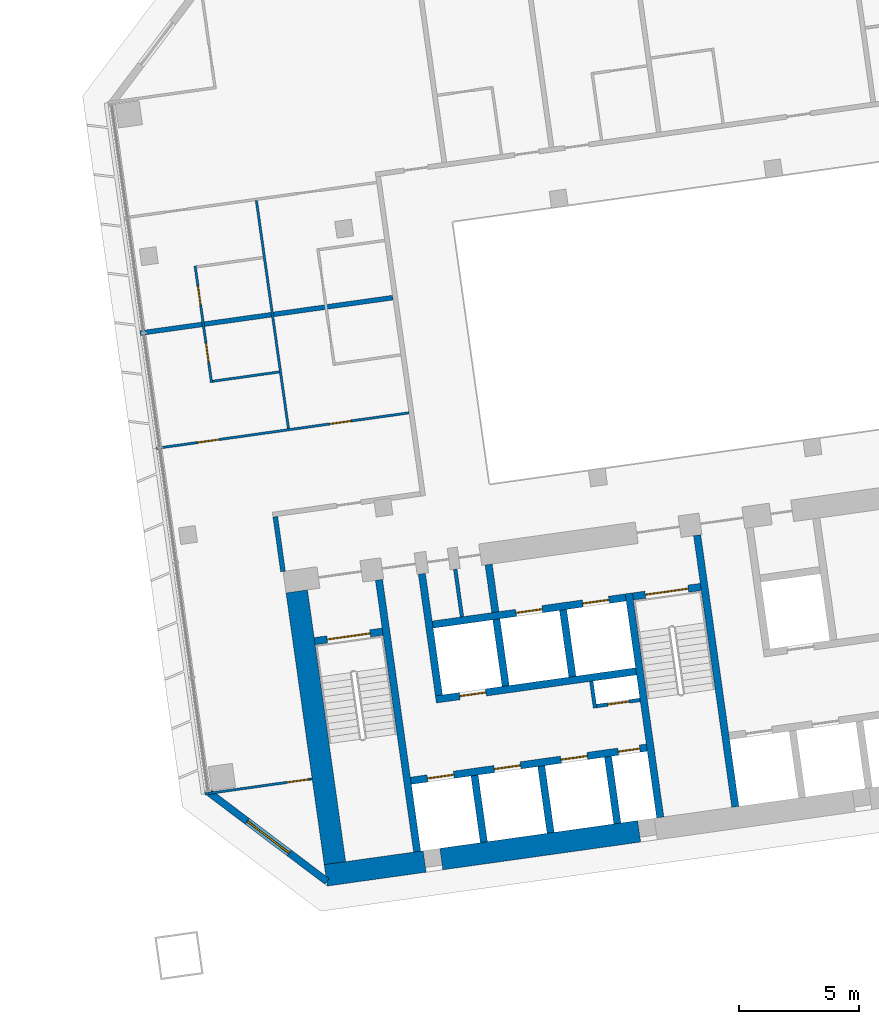
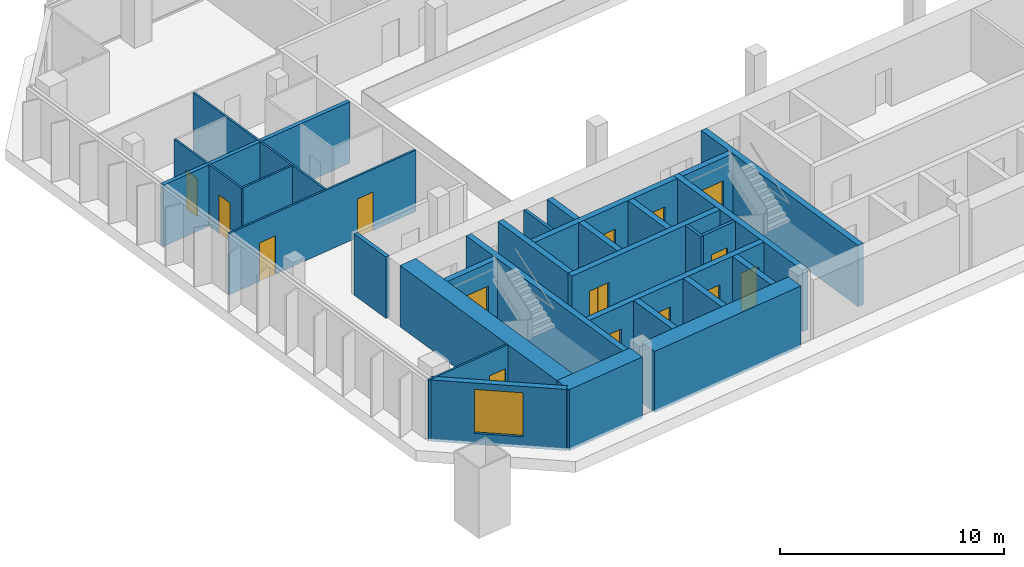
# One storey, part 18 of 25: 29 walls, 15 doors, 1 window, 16 openings.
"""IFC4 building model written with IfcOpenShell, lengths in metres."""

from ifc_helpers import new_model, si_unit, direction, frame, frame_2d, origin, place, context, subcontext, project, spatial, rectangle, extrude, material, layer, layer_set, type_object, element, fill, save


model = new_model("IFC4")

# Units and contexts
model_context = context("Model", 3, precision=1e-05, world=origin(), true_north=direction((0.0, 1.0)))
body_context = subcontext(model_context, "Body", "Model", "MODEL_VIEW")
ifc_project = project(units=[si_unit("LENGTHUNIT", "METRE"), si_unit("AREAUNIT", "SQUARE_METRE"), si_unit("VOLUMEUNIT", "CUBIC_METRE"), si_unit("PLANEANGLEUNIT", "RADIAN"), si_unit("MASSUNIT", "GRAM", prefix="KILO")], contexts=[model_context])

# Site, building, storey
site_placement = place(None, origin())
site = spatial("IfcSite", under=ifc_project, at=site_placement, CompositionType="ELEMENT")
building_placement = place(site_placement, origin())
building = spatial("IfcBuilding", under=site, at=building_placement, Name="Mirante Cascada Hotel Towers", CompositionType="ELEMENT")
storey_placement = place(building_placement, frame((0.0, 0.0, 73.7)))
storey = spatial("IfcBuildingStorey", under=building, at=storey_placement, Name="L15", CompositionType="ELEMENT", Elevation=73.7)

# Walls
ifc_material_1 = material(Name="Fire-rated plasterboard on metal studs")
ifc_layer_1 = layer(ifc_material_1, 0.2)
ifc_layer_set_1 = layer_set([ifc_layer_1], Name="Compartment wall 200 EI 120")
wall_type_1 = type_object("IfcWallType", Name="Compartment wall 200 EI 120", PredefinedType="PARTITIONING", material=ifc_layer_set_1)
wall_1_placement = place(storey_placement, frame((39.8242, 4.2615, 0.0), z_axis=(0.0, 0.0, 1.0), x_axis=(-0.9902686, -0.1391691, 0.0)))
element("IfcWall", 1, at=wall_1_placement, inside=storey, type_object=wall_type_1, Name="Wall 2-L15-11", PredefinedType="PARTITIONING", context=body_context, shape_type="SweptSolid", body=[
    extrude(rectangle(XDim=10.6001, YDim=0.2, at=frame_2d((5.3, 0.0))), origin(), (0.0, 0.0, 1.0), 3.35),
])
wall_2_placement = place(storey_placement, frame((35.2634, -7.1173, 0.0), z_axis=(0.0, 0.0, 1.0), x_axis=(-0.1391749, 0.9902678, 0.0)))
element("IfcWall", 2, at=wall_2_placement, inside=storey, type_object=wall_type_1, Name="Wall 2-L15-30", PredefinedType="PARTITIONING", context=body_context, shape_type="SweptSolid", body=[
    extrude(rectangle(XDim=2.3, YDim=0.2, at=frame_2d((1.15, 0.0))), origin(), (0.0, 0.0, 1.0), 3.35),
])
ifc_material_2 = material(Name="Masonry block", Category="masonry")
ifc_layer_2 = layer(ifc_material_2, 0.15)
ifc_layer_set_2 = layer_set([ifc_layer_2], Name="Core room partition 150 block EI 30")
wall_type_2 = type_object("IfcWallType", Name="Core room partition 150 block EI 30", PredefinedType="PARTITIONING", material=ifc_layer_set_2)
wall_3_placement = place(storey_placement, frame((48.2295, -12.793, 0.0), z_axis=(0.0, 0.0, 1.0), x_axis=(-0.1391935, 0.9902652, 0.0)))
element("IfcWall", 3, at=wall_3_placement, inside=storey, type_object=wall_type_2, Name="Core wall partition T2 L15 2", PredefinedType="PARTITIONING", context=body_context, shape_type="SweptSolid", body=[
    extrude(rectangle(XDim=1.1251, YDim=0.15, at=frame_2d((0.5626, 0.0))), origin(), (0.0, 0.0, 1.0), 3.35),
])

# Wall, opening, door
wall_4_placement = place(storey_placement, frame((48.2933, -12.7083, 0.0), z_axis=(0.0, 0.0, 1.0), x_axis=(0.990268, 0.1391734, 0.0)))
wall_4 = element("IfcWall", 4, at=wall_4_placement, inside=storey, type_object=wall_type_2, Name="Core wall partition T2 L15 3", PredefinedType="PARTITIONING", context=body_context, shape_type="SweptSolid", body=[
    extrude(rectangle(XDim=1.8251, YDim=0.15, at=frame_2d((0.9126, 0.0))), origin(), (0.0, 0.0, 1.0), 3.35),
])
opening_1_placement = place(wall_4_placement, frame((0.4625, 0.0, 0.0)))
opening_1 = element("IfcOpeningElement", 5, at=opening_1_placement, cuts=wall_4, Name="Opening D2-15-C23", PredefinedType="OPENING", context=body_context, shape_type="SweptSolid", body=[
    extrude(rectangle(XDim=0.9, YDim=2.1, at=frame_2d((0.45, 1.05))), frame((0.0, 0.075, 0.0), z_axis=(0.0, -1.0, 0.0), x_axis=(1.0, 0.0, 0.0)), (0.0, 0.0, 1.0), 0.15),
])
ifc_material_3 = material(Name="Hollow metal fire door leaf")
door_type_1 = type_object("IfcDoorType", Name="Fire door 900x2100 FD60", OperationType="NOTDEFINED", PredefinedType="DOOR", material=ifc_material_3)
door_1_placement = place(opening_1_placement, frame((0.9, 0.0, 0.0), z_axis=(0.0, 0.0, 1.0), x_axis=(-1.0, 0.0, 0.0)))
door_1 = element("IfcDoor", 6, at=door_1_placement, inside=storey, type_object=door_type_1, Name="Riser door T2 L15 23", OperationType="SINGLE_SWING_RIGHT", OverallHeight=2.1, OverallWidth=0.9, PredefinedType="DOOR", context=body_context, shape_type="SweptSolid", body=[
    extrude(rectangle(XDim=0.9, YDim=2.1, at=frame_2d((0.45, 1.05))), frame((0.0, 0.025, 0.0), z_axis=(0.0, -1.0, 0.0), x_axis=(1.0, 0.0, 0.0)), (0.0, 0.0, 1.0), 0.05),
])
fill(opening_1, door_1)

# Walls
wall_5_placement = place(storey_placement, frame((42.6979, -9.0009, 0.0), z_axis=(0.0, 0.0, 1.0), x_axis=(-0.1391529, 0.9902709, 0.0)))
element("IfcWall", 7, at=wall_5_placement, inside=storey, type_object=wall_type_2, Name="Core wall partition T2 L15 4", PredefinedType="PARTITIONING", context=body_context, shape_type="SweptSolid", body=[
    extrude(rectangle(XDim=2.0, YDim=0.15, at=frame_2d((1.0, 0.0))), origin(), (0.0, 0.0, 1.0), 3.35),
])
ifc_material_4 = material(Name="Masonry block", Category="masonry")
ifc_layer_3 = layer(ifc_material_4, 0.3)
ifc_layer_set_3 = layer_set([ifc_layer_3], Name="Core wall 300 block EI 120")
wall_type_3 = type_object("IfcWallType", Name="Core wall 300 block EI 120", PredefinedType="PARTITIONING", material=ifc_layer_set_3)
wall_6_placement = place(storey_placement, frame((44.0843, -8.8061, 0.0), z_axis=(0.0, 0.0, 1.0), x_axis=(-0.1391951, 0.990265, 0.0)))
element("IfcWall", 8, at=wall_6_placement, inside=storey, type_object=wall_type_3, Name="Core wall partition T2 L15 1", PredefinedType="PARTITIONING", context=body_context, shape_type="SweptSolid", body=[
    extrude(rectangle(XDim=2.0001, YDim=0.3, at=frame_2d((1.0001, 0.0))), origin(), (0.0, 0.0, 1.0), 3.35),
])

# Wall, opening, door
ifc_material_5 = material(Name="Plasterboard on metal studs")
ifc_layer_4 = layer(ifc_material_5, 0.1)
ifc_layer_set_4 = layer_set([ifc_layer_4], Name="Partition 100")
wall_type_4 = type_object("IfcWallType", Name="Partition 100", PredefinedType="PARTITIONING", material=ifc_layer_set_4)
wall_7_placement = place(storey_placement, frame((36.4742, -15.7326, 0.0), z_axis=(0.0, 0.0, 1.0), x_axis=(-0.9902674, -0.1391779, 0.0)))
wall_7 = element("IfcWall", 9, at=wall_7_placement, inside=storey, type_object=wall_type_4, Name="Wall 2-L15-01", PredefinedType="PARTITIONING", context=body_context, shape_type="SweptSolid", body=[
    extrude(rectangle(XDim=4.5, YDim=0.1, at=frame_2d((2.25, 0.0))), origin(), (0.0, 0.0, 1.0), 3.35),
])
opening_2_placement = place(wall_7_placement, frame((0.15, 0.0, 0.0)))
opening_2 = element("IfcOpeningElement", 10, at=opening_2_placement, cuts=wall_7, Name="Opening D2-L15-01", PredefinedType="OPENING", context=body_context, shape_type="SweptSolid", body=[
    extrude(rectangle(XDim=0.9, YDim=2.1, at=frame_2d((0.45, 1.05))), frame((0.0, 0.05, 0.0), z_axis=(0.0, -1.0, 0.0), x_axis=(1.0, 0.0, 0.0)), (0.0, 0.0, 1.0), 0.1),
])
ifc_material_6 = material(Name="Timber door leaf", Category="wood")
door_type_2 = type_object("IfcDoorType", Name="Room door DG3 900x2100", OperationType="SINGLE_SWING_LEFT", PredefinedType="DOOR", material=ifc_material_6)
door_2_placement = place(opening_2_placement, frame((0.9, 0.0, 0.0), z_axis=(0.0, 0.0, 1.0), x_axis=(-1.0, 0.0, 0.0)))
door_2 = element("IfcDoor", 11, at=door_2_placement, inside=storey, type_object=door_type_2, Name="Door D2-L15-01", OperationType="SINGLE_SWING_RIGHT", OverallHeight=2.1, OverallWidth=0.9, PredefinedType="DOOR", context=body_context, shape_type="SweptSolid", body=[
    extrude(rectangle(XDim=0.9, YDim=2.1, at=frame_2d((0.45, 1.05))), frame((0.0, 0.025, 0.0), z_axis=(0.0, -1.0, 0.0), x_axis=(1.0, 0.0, 0.0)), (0.0, 0.0, 1.0), 0.05),
])
fill(opening_2, door_2)

# Wall, openings, doors
wall_8_placement = place(storey_placement, frame((30.0, -2.0, 0.0), z_axis=(0.0, 0.0, 1.0), x_axis=(0.9902684, 0.1391704, 0.0)))
wall_8 = element("IfcWall", 12, at=wall_8_placement, inside=storey, type_object=wall_type_4, Name="Wall 2-L15-06", PredefinedType="PARTITIONING", context=body_context, shape_type="SweptSolid", body=[
    extrude(rectangle(XDim=10.6, YDim=0.1, at=frame_2d((5.3, 0.0))), origin(), (0.0, 0.0, 1.0), 3.35),
])
opening_3_placement = place(wall_8_placement, frame((1.725, 0.0, 0.0)))
opening_3 = element("IfcOpeningElement", 13, at=opening_3_placement, cuts=wall_8, Name="Opening D2-L15-05", PredefinedType="OPENING", context=body_context, shape_type="SweptSolid", body=[
    extrude(rectangle(XDim=0.9, YDim=2.1, at=frame_2d((0.45, 1.05))), frame((0.0, 0.05, 0.0), z_axis=(0.0, -1.0, 0.0), x_axis=(1.0, 0.0, 0.0)), (0.0, 0.0, 1.0), 0.1),
])
opening_4_placement = place(wall_8_placement, frame((7.275, 0.0, 0.0)))
opening_4 = element("IfcOpeningElement", 14, at=opening_4_placement, cuts=wall_8, Name="Opening D2-L15-06", PredefinedType="OPENING", context=body_context, shape_type="SweptSolid", body=[
    extrude(rectangle(XDim=0.9, YDim=2.1, at=frame_2d((0.45, 1.05))), frame((0.0, 0.05, 0.0), z_axis=(0.0, -1.0, 0.0), x_axis=(1.0, 0.0, 0.0)), (0.0, 0.0, 1.0), 0.1),
])
door_3_placement = place(opening_3_placement, frame((0.9, 0.0, 0.0), z_axis=(0.0, 0.0, 1.0), x_axis=(-1.0, 0.0, 0.0)))
door_3 = element("IfcDoor", 15, at=door_3_placement, inside=storey, type_object=door_type_2, Name="Door D2-L15-05", OperationType="SINGLE_SWING_RIGHT", OverallHeight=2.1, OverallWidth=0.9, PredefinedType="DOOR", context=body_context, shape_type="SweptSolid", body=[
    extrude(rectangle(XDim=0.9, YDim=2.1, at=frame_2d((0.45, 1.05))), frame((0.0, 0.025, 0.0), z_axis=(0.0, -1.0, 0.0), x_axis=(1.0, 0.0, 0.0)), (0.0, 0.0, 1.0), 0.05),
])
fill(opening_3, door_3)
door_4_placement = place(opening_4_placement, frame((0.9, 0.0, 0.0), z_axis=(0.0, 0.0, 1.0), x_axis=(-1.0, 0.0, 0.0)))
door_4 = element("IfcDoor", 16, at=door_4_placement, inside=storey, type_object=door_type_2, Name="Door D2-L15-06", OperationType="SINGLE_SWING_RIGHT", OverallHeight=2.1, OverallWidth=0.9, PredefinedType="DOOR", context=body_context, shape_type="SweptSolid", body=[
    extrude(rectangle(XDim=0.9, YDim=2.1, at=frame_2d((0.45, 1.05))), frame((0.0, 0.025, 0.0), z_axis=(0.0, -1.0, 0.0), x_axis=(1.0, 0.0, 0.0)), (0.0, 0.0, 1.0), 0.05),
])
fill(opening_4, door_4)

# Wall
wall_9_placement = place(storey_placement, frame((35.1078, 1.1751, 0.0), z_axis=(0.0, 0.0, 1.0), x_axis=(-0.990267, -0.139181, 0.0)))
element("IfcWall", 17, at=wall_9_placement, inside=storey, type_object=wall_type_4, Name="Wall 2-L15-09", PredefinedType="PARTITIONING", context=body_context, shape_type="SweptSolid", body=[
    extrude(rectangle(XDim=2.8, YDim=0.1, at=frame_2d((1.4, 0.0))), origin(), (0.0, 0.0, 1.0), 3.35),
])

# Wall, openings, doors
wall_10_placement = place(storey_placement, frame((31.6106, 5.5812, 0.0), z_axis=(0.0, 0.0, 1.0), x_axis=(0.1391638, -0.9902694, 0.0)))
wall_10 = element("IfcWall", 18, at=wall_10_placement, inside=storey, type_object=wall_type_4, Name="Wall 2-L15-29", PredefinedType="PARTITIONING", context=body_context, shape_type="SweptSolid", body=[
    extrude(rectangle(XDim=4.9, YDim=0.1, at=frame_2d((2.45, 0.0))), origin(), (0.0, 0.0, 1.0), 3.35),
])
opening_5_placement = place(wall_10_placement, frame((3.25, 0.0, 0.0)))
opening_5 = element("IfcOpeningElement", 19, at=opening_5_placement, cuts=wall_10, Name="Opening D2-L15-29", PredefinedType="OPENING", context=body_context, shape_type="SweptSolid", body=[
    extrude(rectangle(XDim=0.8, YDim=2.1, at=frame_2d((0.4, 1.05))), frame((0.0, 0.05, 0.0), z_axis=(0.0, -1.0, 0.0), x_axis=(1.0, 0.0, 0.0)), (0.0, 0.0, 1.0), 0.1),
])
opening_6_placement = place(wall_10_placement, frame((0.85, 0.0, 0.0)))
opening_6 = element("IfcOpeningElement", 20, at=opening_6_placement, cuts=wall_10, Name="Opening D2-L15-30", PredefinedType="OPENING", context=body_context, shape_type="SweptSolid", body=[
    extrude(rectangle(XDim=0.8, YDim=2.1, at=frame_2d((0.4, 1.05))), frame((0.0, 0.05, 0.0), z_axis=(0.0, -1.0, 0.0), x_axis=(1.0, 0.0, 0.0)), (0.0, 0.0, 1.0), 0.1),
])
ifc_material_7 = material(Name="Timber door leaf", Category="wood")
door_type_3 = type_object("IfcDoorType", Name="Bathroom door DG4 800x2100", OperationType="SINGLE_SWING_LEFT", PredefinedType="DOOR", material=ifc_material_7)
door_5_placement = place(opening_5_placement, origin())
door_5 = element("IfcDoor", 21, at=door_5_placement, inside=storey, type_object=door_type_3, Name="Door D2-L15-29", OperationType="SINGLE_SWING_LEFT", OverallHeight=2.1, OverallWidth=0.8, PredefinedType="DOOR", context=body_context, shape_type="SweptSolid", body=[
    extrude(rectangle(XDim=0.8, YDim=2.1, at=frame_2d((0.4, 1.05))), frame((0.0, 0.025, 0.0), z_axis=(0.0, -1.0, 0.0), x_axis=(1.0, 0.0, 0.0)), (0.0, 0.0, 1.0), 0.05),
])
fill(opening_5, door_5)
door_6_placement = place(opening_6_placement, origin())
door_6 = element("IfcDoor", 22, at=door_6_placement, inside=storey, type_object=door_type_3, Name="Door D2-L15-30", OperationType="SINGLE_SWING_LEFT", OverallHeight=2.1, OverallWidth=0.8, PredefinedType="DOOR", context=body_context, shape_type="SweptSolid", body=[
    extrude(rectangle(XDim=0.8, YDim=2.1, at=frame_2d((0.4, 1.05))), frame((0.0, 0.025, 0.0), z_axis=(0.0, -1.0, 0.0), x_axis=(1.0, 0.0, 0.0)), (0.0, 0.0, 1.0), 0.05),
])
fill(opening_6, door_6)

# Wall
wall_11_placement = place(storey_placement, frame((35.489, -1.1781, 0.0), z_axis=(0.0, 0.0, 1.0), x_axis=(-0.1391703, 0.9902685, 0.0)))
element("IfcWall", 23, at=wall_11_placement, inside=storey, type_object=wall_type_4, Name="Wall 2-L15-32", PredefinedType="PARTITIONING", context=body_context, shape_type="SweptSolid", body=[
    extrude(rectangle(XDim=9.5667, YDim=0.1, at=frame_2d((4.7834, 0.0))), origin(), (0.0, 0.0, 1.0), 3.35),
])

# Wall, opening, window
ifc_material_8 = material(Name="Precast concrete C40/50", Category="concrete")
ifc_layer_5 = layer(ifc_material_8, 0.3)
ifc_layer_set_5 = layer_set([ifc_layer_5], Name="Precast concrete C40/50 cladding wall 300")
wall_type_5 = type_object("IfcWallType", Name="Precast concrete C40/50 cladding wall 300", PredefinedType="STANDARD", material=ifc_layer_set_5)
wall_12_placement = place(storey_placement, frame((32.2074, -16.3138, 0.0), z_axis=(0.0, 0.0, 1.0), x_axis=(0.7986362, -0.6018141, 0.0)))
wall_12 = element("IfcWall", 24, at=wall_12_placement, inside=storey, type_object=wall_type_5, Name="Corner cladding wall T2 L15 inner rear", PredefinedType="STANDARD", context=body_context, shape_type="SweptSolid", body=[
    extrude(rectangle(XDim=6.1157, YDim=0.3, at=frame_2d((3.0578, 0.0))), origin(), (0.0, 0.0, 1.0), 3.35),
])
opening_7_placement = place(wall_12_placement, frame((1.9578, 0.0, 0.6)))
opening_7 = element("IfcOpeningElement", 25, at=opening_7_placement, cuts=wall_12, Name="Opening W2-15-05", PredefinedType="OPENING", context=body_context, shape_type="SweptSolid", body=[
    extrude(rectangle(XDim=2.2, YDim=2.4, at=frame_2d((1.1, 1.2))), frame((0.0, 0.15, 0.0), z_axis=(0.0, -1.0, 0.0), x_axis=(1.0, 0.0, 0.0)), (0.0, 0.0, 1.0), 0.3),
])
ifc_material_9 = material(Name="Aluminium frame with clear double glazing", Category="aluminium")
window_type = type_object("IfcWindowType", Name="Corner suite window 2200x2400", PartitioningType="DOUBLE_PANEL_VERTICAL", PredefinedType="WINDOW", material=ifc_material_9)
window_placement = place(opening_7_placement, origin())
window = element("IfcWindow", 26, at=window_placement, inside=storey, type_object=window_type, Name="Window W2-15-05", OverallHeight=2.4, OverallWidth=2.2, PartitioningType="SINGLE_PANEL", PredefinedType="WINDOW", context=body_context, shape_type="SweptSolid", body=[
    extrude(rectangle(XDim=2.2, YDim=2.4, at=frame_2d((1.1, 1.2))), frame((0.0, 0.03, 0.0), z_axis=(0.0, -1.0, 0.0), x_axis=(1.0, 0.0, 0.0)), (0.0, 0.0, 1.0), 0.06),
])
fill(opening_7, window)

# Walls
ifc_material_10 = material(Name="Concrete C50/60", Category="concrete")
ifc_layer_6 = layer(ifc_material_10, 0.3)
ifc_layer_set_6 = layer_set([ifc_layer_6], Name="RC core wall 300 C50/60")
wall_type_6 = type_object("IfcWallType", Name="RC core wall 300 C50/60", PredefinedType="SHEAR", material=ifc_layer_set_6)
wall_13_placement = place(storey_placement, frame((40.8373, -18.7548, 0.0), z_axis=(0.0, 0.0, 1.0), x_axis=(-0.1391749, 0.9902678, 0.0)))
element("IfcWall", 27, at=wall_13_placement, inside=storey, type_object=wall_type_6, Name="Core wall T2:L15:5", PredefinedType="SHEAR", context=body_context, shape_type="SweptSolid", body=[
    extrude(rectangle(XDim=11.4, YDim=0.3, at=frame_2d((5.7, 0.0))), origin(), (0.0, 0.0, 1.0), 3.35),
])
wall_14_placement = place(storey_placement, frame((50.938, -17.3352, 0.0), z_axis=(0.0, 0.0, 1.0), x_axis=(-0.1391706, 0.9902684, 0.0)))
element("IfcWall", 28, at=wall_14_placement, inside=storey, type_object=wall_type_6, Name="Core wall T2:L15:6", PredefinedType="SHEAR", context=body_context, shape_type="SweptSolid", body=[
    extrude(rectangle(XDim=9.4, YDim=0.3, at=frame_2d((4.7, 0.0))), origin(), (0.0, 0.0, 1.0), 3.35),
])
wall_15_placement = place(storey_placement, frame((54.0574, -16.8968, 0.0), z_axis=(0.0, 0.0, 1.0), x_axis=(-0.1391761, 0.9902677, 0.0)))
element("IfcWall", 29, at=wall_15_placement, inside=storey, type_object=wall_type_6, Name="Core wall T2:L15:7", PredefinedType="SHEAR", context=body_context, shape_type="SweptSolid", body=[
    extrude(rectangle(XDim=11.3999, YDim=0.3, at=frame_2d((5.7, 0.0))), origin(), (0.0, 0.0, 1.0), 3.35),
])

# Wall, opening, door
wall_16_placement = place(storey_placement, frame((36.5791, -10.0123, 0.0), z_axis=(0.0, 0.0, 1.0), x_axis=(0.9902704, 0.1391564, 0.0)))
wall_16 = element("IfcWall", 30, at=wall_16_placement, inside=storey, type_object=wall_type_6, Name="Core wall T2:L15:9", PredefinedType="SHEAR", context=body_context, shape_type="SweptSolid", body=[
    extrude(rectangle(XDim=2.85, YDim=0.3, at=frame_2d((1.425, 0.0))), origin(), (0.0, 0.0, 1.0), 3.35),
])
opening_8_placement = place(wall_16_placement, frame((0.525, 0.0, 0.0)))
opening_8 = element("IfcOpeningElement", 31, at=opening_8_placement, cuts=wall_16, Name="Opening D2-15-C13", PredefinedType="OPENING", context=body_context, shape_type="SweptSolid", body=[
    extrude(rectangle(XDim=1.8, YDim=2.1, at=frame_2d((0.9, 1.05))), frame((0.0, 0.15, 0.0), z_axis=(0.0, -1.0, 0.0), x_axis=(1.0, 0.0, 0.0)), (0.0, 0.0, 1.0), 0.3),
])
ifc_material_11 = material(Name="Hollow metal fire door leaf")
door_type_4 = type_object("IfcDoorType", Name="Double fire door 1800x2100 FD60", OperationType="DOUBLE_DOOR_SINGLE_SWING", PredefinedType="DOOR", material=ifc_material_11)
door_7_placement = place(opening_8_placement, frame((1.8, 0.0, 0.0), z_axis=(0.0, 0.0, 1.0), x_axis=(-1.0, 0.0, 0.0)))
door_7 = element("IfcDoor", 32, at=door_7_placement, inside=storey, type_object=door_type_4, Name="Stair door T2 L15 13", OperationType="DOUBLE_DOOR_SINGLE_SWING", OverallHeight=2.1, OverallWidth=1.8, PredefinedType="DOOR", context=body_context, shape_type="SweptSolid", body=[
    extrude(rectangle(XDim=0.895, YDim=2.1, at=frame_2d((0.4475, 1.05))), frame((0.0, 0.025, 0.0), z_axis=(0.0, -1.0, 0.0), x_axis=(1.0, 0.0, 0.0)), (0.0, 0.0, 1.0), 0.05),
    extrude(rectangle(XDim=0.895, YDim=2.1, at=frame_2d((1.3525, 1.05))), frame((0.0, 0.025, 0.0), z_axis=(0.0, -1.0, 0.0), x_axis=(1.0, 0.0, 0.0)), (0.0, 0.0, 1.0), 0.05),
])
fill(opening_8, door_7)

wall_17_placement = place(storey_placement, frame((49.7992, -8.1544, 0.0), z_axis=(0.0, 0.0, 1.0), x_axis=(0.9902656, 0.1391909, 0.0)))
wall_17 = element("IfcWall", 33, at=wall_17_placement, inside=storey, type_object=wall_type_6, Name="Core wall T2:L15:10", PredefinedType="SHEAR", context=body_context, shape_type="SweptSolid", body=[
    extrude(rectangle(XDim=2.85, YDim=0.3, at=frame_2d((1.425, 0.0))), origin(), (0.0, 0.0, 1.0), 3.35),
])
opening_9_placement = place(wall_17_placement, frame((0.525, 0.0, 0.0)))
opening_9 = element("IfcOpeningElement", 34, at=opening_9_placement, cuts=wall_17, Name="Opening D2-15-C15", PredefinedType="OPENING", context=body_context, shape_type="SweptSolid", body=[
    extrude(rectangle(XDim=1.8, YDim=2.1, at=frame_2d((0.9, 1.05))), frame((0.0, 0.15, 0.0), z_axis=(0.0, -1.0, 0.0), x_axis=(1.0, 0.0, 0.0)), (0.0, 0.0, 1.0), 0.3),
])
door_8_placement = place(opening_9_placement, frame((1.8, 0.0, 0.0), z_axis=(0.0, 0.0, 1.0), x_axis=(-1.0, 0.0, 0.0)))
door_8 = element("IfcDoor", 35, at=door_8_placement, inside=storey, type_object=door_type_4, Name="Stair door T2 L15 15", OperationType="DOUBLE_DOOR_SINGLE_SWING", OverallHeight=2.1, OverallWidth=1.8, PredefinedType="DOOR", context=body_context, shape_type="SweptSolid", body=[
    extrude(rectangle(XDim=0.895, YDim=2.1, at=frame_2d((0.4475, 1.05))), frame((0.0, 0.025, 0.0), z_axis=(0.0, -1.0, 0.0), x_axis=(1.0, 0.0, 0.0)), (0.0, 0.0, 1.0), 0.05),
    extrude(rectangle(XDim=0.895, YDim=2.1, at=frame_2d((1.3525, 1.05))), frame((0.0, 0.025, 0.0), z_axis=(0.0, -1.0, 0.0), x_axis=(1.0, 0.0, 0.0)), (0.0, 0.0, 1.0), 0.05),
])
fill(opening_9, door_8)

# Wall, openings, doors
wall_18_placement = place(storey_placement, frame((40.5753, -15.8126, 0.0), z_axis=(0.0, 0.0, 1.0), x_axis=(0.9902682, 0.1391725, 0.0)))
wall_18 = element("IfcWall", 36, at=wall_18_placement, inside=storey, type_object=wall_type_6, Name="Core wall T2:L15:12", PredefinedType="SHEAR", context=body_context, shape_type="SweptSolid", body=[
    extrude(rectangle(XDim=9.8999, YDim=0.3, at=frame_2d((4.95, 0.0))), origin(), (0.0, 0.0, 1.0), 3.35),
])
opening_10_placement = place(wall_18_placement, frame((0.7, 0.0, 0.0)))
opening_10 = element("IfcOpeningElement", 37, at=opening_10_placement, cuts=wall_18, Name="Opening LD", PredefinedType="OPENING", context=body_context, shape_type="SweptSolid", body=[
    extrude(rectangle(XDim=1.1, YDim=2.1, at=frame_2d((0.55, 1.05))), frame((0.0, 0.15, 0.0), z_axis=(0.0, -1.0, 0.0), x_axis=(1.0, 0.0, 0.0)), (0.0, 0.0, 1.0), 0.3),
])
opening_11_placement = place(wall_18_placement, frame((3.5, 0.0, 0.0)))
opening_11 = element("IfcOpeningElement", 38, at=opening_11_placement, cuts=wall_18, Name="Opening LD", PredefinedType="OPENING", context=body_context, shape_type="SweptSolid", body=[
    extrude(rectangle(XDim=1.1, YDim=2.1, at=frame_2d((0.55, 1.05))), frame((0.0, 0.15, 0.0), z_axis=(0.0, -1.0, 0.0), x_axis=(1.0, 0.0, 0.0)), (0.0, 0.0, 1.0), 0.3),
])
opening_12_placement = place(wall_18_placement, frame((6.3, 0.0, 0.0)))
opening_12 = element("IfcOpeningElement", 39, at=opening_12_placement, cuts=wall_18, Name="Opening LD", PredefinedType="OPENING", context=body_context, shape_type="SweptSolid", body=[
    extrude(rectangle(XDim=1.1, YDim=2.1, at=frame_2d((0.55, 1.05))), frame((0.0, 0.15, 0.0), z_axis=(0.0, -1.0, 0.0), x_axis=(1.0, 0.0, 0.0)), (0.0, 0.0, 1.0), 0.3),
])
opening_13_placement = place(wall_18_placement, frame((8.7, 0.0, 0.0)))
opening_13 = element("IfcOpeningElement", 40, at=opening_13_placement, cuts=wall_18, Name="Opening D2-15-C22", PredefinedType="OPENING", context=body_context, shape_type="SweptSolid", body=[
    extrude(rectangle(XDim=0.9, YDim=2.1, at=frame_2d((0.45, 1.05))), frame((0.0, 0.15, 0.0), z_axis=(0.0, -1.0, 0.0), x_axis=(1.0, 0.0, 0.0)), (0.0, 0.0, 1.0), 0.3),
])
door_9_placement = place(opening_13_placement, frame((0.9, 0.0, 0.0), z_axis=(0.0, 0.0, 1.0), x_axis=(-1.0, 0.0, 0.0)))
door_9 = element("IfcDoor", 41, at=door_9_placement, inside=storey, type_object=door_type_1, Name="Riser door T2 L15 22", OperationType="SINGLE_SWING_RIGHT", OverallHeight=2.1, OverallWidth=0.9, PredefinedType="DOOR", context=body_context, shape_type="SweptSolid", body=[
    extrude(rectangle(XDim=0.9, YDim=2.1, at=frame_2d((0.45, 1.05))), frame((0.0, 0.025, 0.0), z_axis=(0.0, -1.0, 0.0), x_axis=(1.0, 0.0, 0.0)), (0.0, 0.0, 1.0), 0.05),
])
fill(opening_13, door_9)
ifc_material_12 = material(Name="Stainless steel", Category="steel")
door_type_5 = type_object("IfcDoorType", Name="Lift landing door 1100x2100 EI 120", OperationType="DOUBLE_DOOR_SLIDING", PredefinedType="DOOR", material=ifc_material_12)
door_10_placement = place(opening_10_placement, origin())
door_10 = element("IfcDoor", 42, at=door_10_placement, inside=storey, type_object=door_type_5, Name="Lift landing door HR2-1 L15", OperationType="DOUBLE_DOOR_SLIDING", OverallHeight=2.1, OverallWidth=1.1, PredefinedType="DOOR", context=body_context, shape_type="SweptSolid", body=[
    extrude(rectangle(XDim=0.545, YDim=2.1, at=frame_2d((0.2725, 1.05))), frame((0.0, 0.025, 0.0), z_axis=(0.0, -1.0, 0.0), x_axis=(1.0, 0.0, 0.0)), (0.0, 0.0, 1.0), 0.05),
    extrude(rectangle(XDim=0.545, YDim=2.1, at=frame_2d((0.8275, 1.05))), frame((0.0, 0.025, 0.0), z_axis=(0.0, -1.0, 0.0), x_axis=(1.0, 0.0, 0.0)), (0.0, 0.0, 1.0), 0.05),
])
fill(opening_10, door_10)
door_11_placement = place(opening_11_placement, origin())
door_11 = element("IfcDoor", 43, at=door_11_placement, inside=storey, type_object=door_type_5, Name="Lift landing door HR2-2 L15", OperationType="DOUBLE_DOOR_SLIDING", OverallHeight=2.1, OverallWidth=1.1, PredefinedType="DOOR", context=body_context, shape_type="SweptSolid", body=[
    extrude(rectangle(XDim=0.545, YDim=2.1, at=frame_2d((0.2725, 1.05))), frame((0.0, 0.025, 0.0), z_axis=(0.0, -1.0, 0.0), x_axis=(1.0, 0.0, 0.0)), (0.0, 0.0, 1.0), 0.05),
    extrude(rectangle(XDim=0.545, YDim=2.1, at=frame_2d((0.8275, 1.05))), frame((0.0, 0.025, 0.0), z_axis=(0.0, -1.0, 0.0), x_axis=(1.0, 0.0, 0.0)), (0.0, 0.0, 1.0), 0.05),
])
fill(opening_11, door_11)
door_12_placement = place(opening_12_placement, origin())
door_12 = element("IfcDoor", 44, at=door_12_placement, inside=storey, type_object=door_type_5, Name="Lift landing door HR2-3 L15", OperationType="DOUBLE_DOOR_SLIDING", OverallHeight=2.1, OverallWidth=1.1, PredefinedType="DOOR", context=body_context, shape_type="SweptSolid", body=[
    extrude(rectangle(XDim=0.545, YDim=2.1, at=frame_2d((0.2725, 1.05))), frame((0.0, 0.025, 0.0), z_axis=(0.0, -1.0, 0.0), x_axis=(1.0, 0.0, 0.0)), (0.0, 0.0, 1.0), 0.05),
    extrude(rectangle(XDim=0.545, YDim=2.1, at=frame_2d((0.8275, 1.05))), frame((0.0, 0.025, 0.0), z_axis=(0.0, -1.0, 0.0), x_axis=(1.0, 0.0, 0.0)), (0.0, 0.0, 1.0), 0.05),
])
fill(opening_12, door_12)

# Wall, opening, door
wall_19_placement = place(storey_placement, frame((41.6153, -12.435, 0.0), z_axis=(0.0, 0.0, 1.0), x_axis=(0.9902691, 0.139166, 0.0)))
wall_19 = element("IfcWall", 45, at=wall_19_placement, inside=storey, type_object=wall_type_6, Name="Core wall T2:L15:13", PredefinedType="SHEAR", context=body_context, shape_type="SweptSolid", body=[
    extrude(rectangle(XDim=8.4, YDim=0.3, at=frame_2d((4.2, 0.0))), origin(), (0.0, 0.0, 1.0), 3.35),
])
opening_14_placement = place(wall_19_placement, frame((1.0, 0.0, 0.0)))
opening_14 = element("IfcOpeningElement", 46, at=opening_14_placement, cuts=wall_19, Name="Opening LD", PredefinedType="OPENING", context=body_context, shape_type="SweptSolid", body=[
    extrude(rectangle(XDim=1.1, YDim=2.1, at=frame_2d((0.55, 1.05))), frame((0.0, 0.15, 0.0), z_axis=(0.0, -1.0, 0.0), x_axis=(1.0, 0.0, 0.0)), (0.0, 0.0, 1.0), 0.3),
])
door_13_placement = place(opening_14_placement, origin())
door_13 = element("IfcDoor", 47, at=door_13_placement, inside=storey, type_object=door_type_5, Name="Lift landing door HR2-4 L15", OperationType="DOUBLE_DOOR_SLIDING", OverallHeight=2.1, OverallWidth=1.1, PredefinedType="DOOR", context=body_context, shape_type="SweptSolid", body=[
    extrude(rectangle(XDim=0.545, YDim=2.1, at=frame_2d((0.2725, 1.05))), frame((0.0, 0.025, 0.0), z_axis=(0.0, -1.0, 0.0), x_axis=(1.0, 0.0, 0.0)), (0.0, 0.0, 1.0), 0.05),
    extrude(rectangle(XDim=0.545, YDim=2.1, at=frame_2d((0.8275, 1.05))), frame((0.0, 0.025, 0.0), z_axis=(0.0, -1.0, 0.0), x_axis=(1.0, 0.0, 0.0)), (0.0, 0.0, 1.0), 0.05),
])
fill(opening_14, door_13)

# Wall, openings, doors
wall_20_placement = place(storey_placement, frame((41.481, -9.3234, 0.0), z_axis=(0.0, 0.0, 1.0), x_axis=(0.9902679, 0.1391741, 0.0)))
wall_20 = element("IfcWall", 48, at=wall_20_placement, inside=storey, type_object=wall_type_6, Name="Core wall T2:L15:14", PredefinedType="SHEAR", context=body_context, shape_type="SweptSolid", body=[
    extrude(rectangle(XDim=8.0999, YDim=0.3, at=frame_2d((4.05, 0.0))), origin(), (0.0, 0.0, 1.0), 3.35),
])
opening_15_placement = place(wall_20_placement, frame((3.5, 0.0, 0.0)))
opening_15 = element("IfcOpeningElement", 49, at=opening_15_placement, cuts=wall_20, Name="Opening LD", PredefinedType="OPENING", context=body_context, shape_type="SweptSolid", body=[
    extrude(rectangle(XDim=1.1, YDim=2.1, at=frame_2d((0.55, 1.05))), frame((0.0, 0.15, 0.0), z_axis=(0.0, -1.0, 0.0), x_axis=(1.0, 0.0, 0.0)), (0.0, 0.0, 1.0), 0.3),
])
opening_16_placement = place(wall_20_placement, frame((6.3, 0.0, 0.0)))
opening_16 = element("IfcOpeningElement", 50, at=opening_16_placement, cuts=wall_20, Name="Opening LD", PredefinedType="OPENING", context=body_context, shape_type="SweptSolid", body=[
    extrude(rectangle(XDim=1.1, YDim=2.1, at=frame_2d((0.55, 1.05))), frame((0.0, 0.15, 0.0), z_axis=(0.0, -1.0, 0.0), x_axis=(1.0, 0.0, 0.0)), (0.0, 0.0, 1.0), 0.3),
])
door_14_placement = place(opening_15_placement, origin())
door_14 = element("IfcDoor", 51, at=door_14_placement, inside=storey, type_object=door_type_5, Name="Lift landing door FF3 L15", OperationType="DOUBLE_DOOR_SLIDING", OverallHeight=2.1, OverallWidth=1.1, PredefinedType="DOOR", context=body_context, shape_type="SweptSolid", body=[
    extrude(rectangle(XDim=0.545, YDim=2.1, at=frame_2d((0.2725, 1.05))), frame((0.0, 0.025, 0.0), z_axis=(0.0, -1.0, 0.0), x_axis=(1.0, 0.0, 0.0)), (0.0, 0.0, 1.0), 0.05),
    extrude(rectangle(XDim=0.545, YDim=2.1, at=frame_2d((0.8275, 1.05))), frame((0.0, 0.025, 0.0), z_axis=(0.0, -1.0, 0.0), x_axis=(1.0, 0.0, 0.0)), (0.0, 0.0, 1.0), 0.05),
])
fill(opening_15, door_14)
door_15_placement = place(opening_16_placement, origin())
door_15 = element("IfcDoor", 52, at=door_15_placement, inside=storey, type_object=door_type_5, Name="Lift landing door FF4 L15", OperationType="DOUBLE_DOOR_SLIDING", OverallHeight=2.1, OverallWidth=1.1, PredefinedType="DOOR", context=body_context, shape_type="SweptSolid", body=[
    extrude(rectangle(XDim=0.545, YDim=2.1, at=frame_2d((0.2725, 1.05))), frame((0.0, 0.025, 0.0), z_axis=(0.0, -1.0, 0.0), x_axis=(1.0, 0.0, 0.0)), (0.0, 0.0, 1.0), 0.05),
    extrude(rectangle(XDim=0.545, YDim=2.1, at=frame_2d((0.8275, 1.05))), frame((0.0, 0.025, 0.0), z_axis=(0.0, -1.0, 0.0), x_axis=(1.0, 0.0, 0.0)), (0.0, 0.0, 1.0), 0.05),
])
fill(opening_16, door_15)

# Walls
wall_21_placement = place(storey_placement, frame((43.61, -18.3651, 0.0), z_axis=(0.0, 0.0, 1.0), x_axis=(-0.1391459, 0.9902719, 0.0)))
element("IfcWall", 53, at=wall_21_placement, inside=storey, type_object=wall_type_6, Name="Core wall T2:L15:15", PredefinedType="SHEAR", context=body_context, shape_type="SweptSolid", body=[
    extrude(rectangle(XDim=2.7999, YDim=0.3, at=frame_2d((1.4, 0.0))), origin(), (0.0, 0.0, 1.0), 3.35),
])
wall_22_placement = place(storey_placement, frame((46.3828, -17.9754, 0.0), z_axis=(0.0, 0.0, 1.0), x_axis=(-0.139181, 0.990267, 0.0)))
element("IfcWall", 54, at=wall_22_placement, inside=storey, type_object=wall_type_6, Name="Core wall T2:L15:16", PredefinedType="SHEAR", context=body_context, shape_type="SweptSolid", body=[
    extrude(rectangle(XDim=2.8, YDim=0.3, at=frame_2d((1.4, 0.0))), origin(), (0.0, 0.0, 1.0), 3.35),
])
wall_23_placement = place(storey_placement, frame((49.1555, -17.5857, 0.0), z_axis=(0.0, 0.0, 1.0), x_axis=(-0.1391459, 0.9902719, 0.0)))
element("IfcWall", 55, at=wall_23_placement, inside=storey, type_object=wall_type_6, Name="Core wall T2:L15:17", PredefinedType="SHEAR", context=body_context, shape_type="SweptSolid", body=[
    extrude(rectangle(XDim=2.7999, YDim=0.3, at=frame_2d((1.4, 0.0))), origin(), (0.0, 0.0, 1.0), 3.35),
])
for number, where, z_axis, x_axis, name in (
    (56, (44.5157, -11.8759, 0.0), (0.0, 0.0, 1.0), (-0.139181, 0.990267, 0.0), "Core wall T2:L15:18"),
    (57, (47.2885, -11.4862, 0.0), (0.0, 0.0, 1.0), (-0.139181, 0.990267, 0.0), "Core wall T2:L15:19"),
):
    element("IfcWall", number, at=place(storey_placement, frame(where, z_axis=z_axis, x_axis=x_axis)), inside=storey, type_object=wall_type_6, Name=name, PredefinedType="SHEAR", context=body_context, shape_type="SweptSolid", body=[
        extrude(rectangle(XDim=2.8, YDim=0.3, at=frame_2d((1.4, 0.0))), origin(), (0.0, 0.0, 1.0), 3.35),
    ])
wall_24_placement = place(storey_placement, frame((41.743, -12.2656, 0.0), z_axis=(0.0, 0.0, 1.0), x_axis=(-0.1391755, 0.9902677, 0.0)))
element("IfcWall", 58, at=wall_24_placement, inside=storey, type_object=wall_type_6, Name="Core wall T2:L15:20", PredefinedType="SHEAR", context=body_context, shape_type="SweptSolid", body=[
    extrude(rectangle(XDim=5.1, YDim=0.3, at=frame_2d((2.55, 0.0))), origin(), (0.0, 0.0, 1.0), 3.35),
])
ifc_material_13 = material(Name="Concrete C50/60", Category="concrete")
ifc_layer_7 = layer(ifc_material_13, 0.9)
ifc_layer_set_7 = layer_set([ifc_layer_7], Name="RC core wall 900 C50/60")
wall_type_7 = type_object("IfcWallType", Name="RC core wall 900 C50/60", PredefinedType="SHEAR", material=ifc_layer_set_7)
wall_25_placement = place(storey_placement, frame((37.0379, -19.7432, 0.0), z_axis=(0.0, 0.0, 1.0), x_axis=(0.990267, 0.139181, 0.0)))
element("IfcWall", 59, at=wall_25_placement, inside=storey, type_object=wall_type_7, Name="Core wall T2:L15:1.1", PredefinedType="SHEAR", context=body_context, shape_type="SweptSolid", body=[
    extrude(rectangle(XDim=4.15, YDim=0.9, at=frame_2d((2.075, 0.0))), origin(), (0.0, 0.0, 1.0), 3.35),
])
wall_26_placement = place(storey_placement, frame((41.8407, -19.0682, 0.0), z_axis=(0.0, 0.0, 1.0), x_axis=(0.9902686, 0.1391692, 0.0)))
element("IfcWall", 60, at=wall_26_placement, inside=storey, type_object=wall_type_7, Name="Core wall T2:L15:1.2", PredefinedType="SHEAR", context=body_context, shape_type="SweptSolid", body=[
    extrude(rectangle(XDim=8.3, YDim=0.9, at=frame_2d((4.15, 0.0))), origin(), (0.0, 0.0, 1.0), 3.35),
])
wall_27_placement = place(storey_placement, frame((37.4209, -19.2349, 0.0), z_axis=(0.0, 0.0, 1.0), x_axis=(-0.1391761, 0.9902677, 0.0)))
element("IfcWall", 61, at=wall_27_placement, inside=storey, type_object=wall_type_7, Name="Core wall T2:L15:3", PredefinedType="SHEAR", context=body_context, shape_type="SweptSolid", body=[
    extrude(rectangle(XDim=11.3999, YDim=0.9, at=frame_2d((5.7, 0.0))), origin(), (0.0, 0.0, 1.0), 3.35),
])

save(model, "model.ifc")
